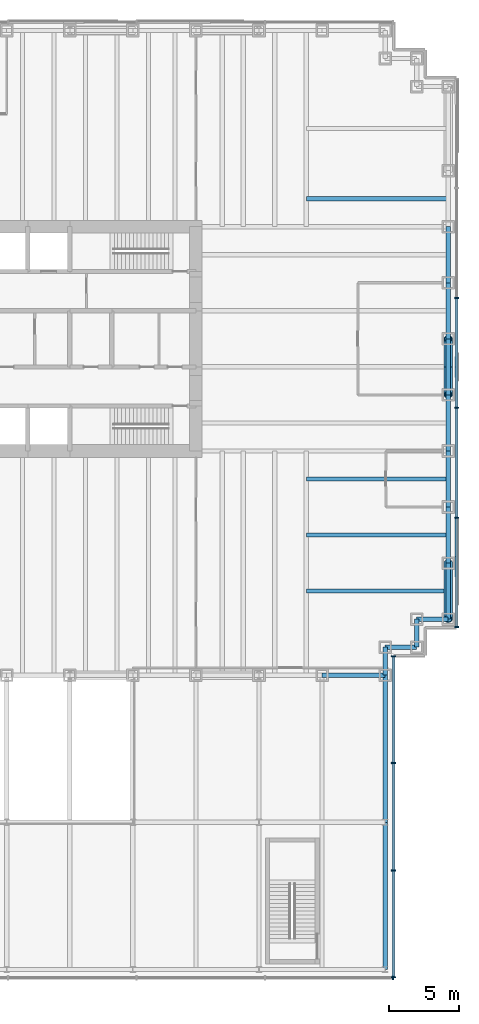
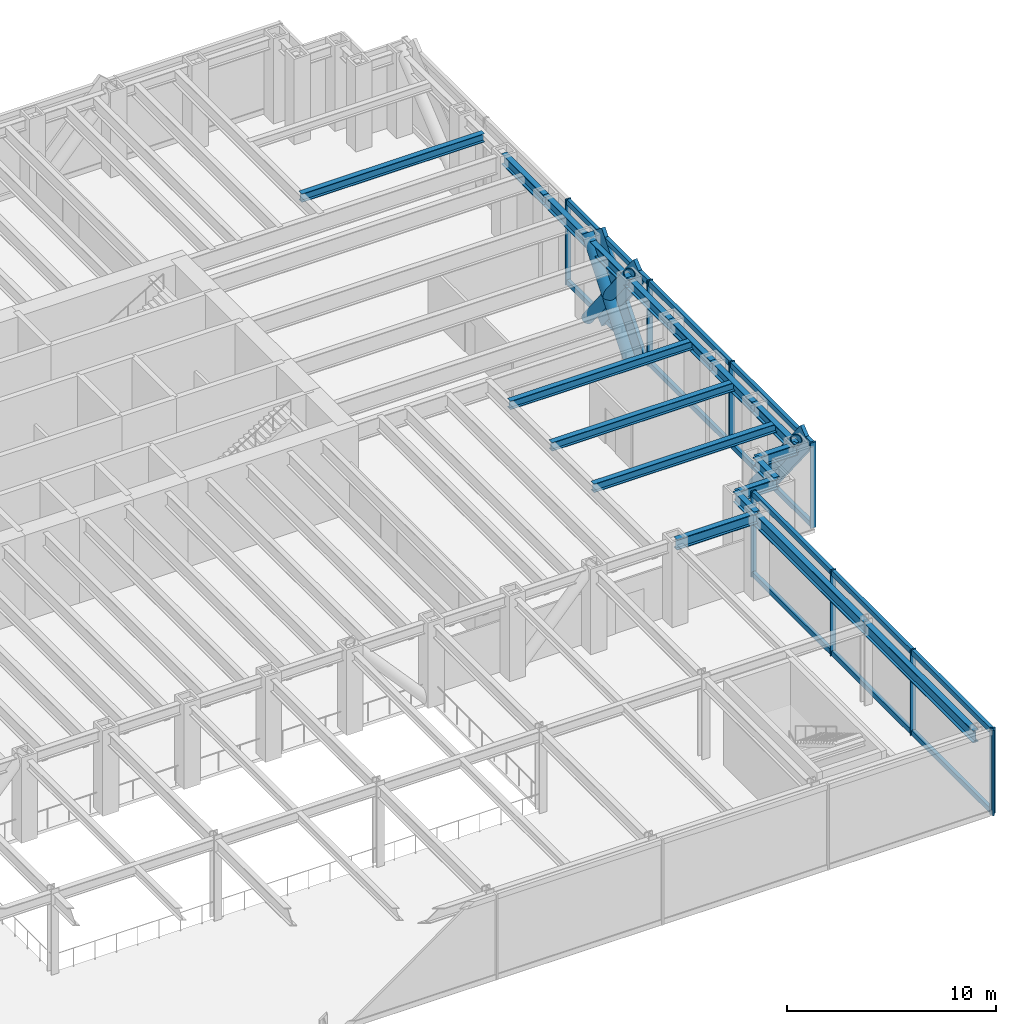
# One storey, part 7 of 17: 27 members, 18 beams, 3 elements without a shape of their own.
"""IFC4 building model written with IfcOpenShell, lengths in metres."""

from ifc_helpers import new_model, si_unit, direction, frame, origin, origin_2d, place, context, subcontext, project, spatial, rectangle, hollow_circle, i_section, extrude, material, material_profile, profile_set, type_object, element, aggregate, save


model = new_model("IFC4")

# Units and contexts
model_context = context("Model", 3, precision=1e-05, world=origin(), true_north=direction((0.0, 1.0)))
body_context = subcontext(model_context, "Body", "Model", "MODEL_VIEW")
ifc_project = project(units=[si_unit("LENGTHUNIT", "METRE"), si_unit("AREAUNIT", "SQUARE_METRE"), si_unit("VOLUMEUNIT", "CUBIC_METRE"), si_unit("PLANEANGLEUNIT", "RADIAN"), si_unit("MASSUNIT", "GRAM", prefix="KILO")], contexts=[model_context])

# Site, building, storey
site_placement = place(None, origin())
site = spatial("IfcSite", under=ifc_project, at=site_placement, CompositionType="ELEMENT")
building_placement = place(site_placement, origin())
building = spatial("IfcBuilding", under=site, at=building_placement, Name="Rheinbord Bourse Tower", CompositionType="ELEMENT")
storey_placement = place(building_placement, frame((0.0, 0.0, 18.0)))
storey = spatial("IfcBuildingStorey", under=building, at=storey_placement, Name="L03", CompositionType="ELEMENT", Elevation=18.0)

# Curtain wall, members
ifc_material_1 = material(Name="Dark glass and black aluminium", Category="aluminium")
curtain_wall_type = type_object("IfcCurtainWallType", Name="CW4 DARK GLASS CURTAIN WALL", PredefinedType="USERDEFINED", material=ifc_material_1)
curtain_wall_1_placement = place(storey_placement, origin())
curtain_wall_1 = element("IfcCurtainWall", 1, at=curtain_wall_1_placement, inside=storey, type_object=curtain_wall_type, Name="Curtain wall CW4 E L03", ObjectType="UNITISED CURTAIN WALL", PredefinedType="USERDEFINED")
ifc_material_2 = material(Name="Black anodised aluminium", Category="aluminium")
ifc_material_profile_1 = material_profile(ifc_material_2, rectangle(XDim=0.199951171875, YDim=1.2099609375, at=origin_2d()), Name="CW4 DIAGONAL MULLION 1210x200")
ifc_profile_set_1 = profile_set([ifc_material_profile_1], Name="Black anodised aluminium")
member_type_1 = type_object("IfcMemberType", Name="CW4 BLACK DIAGONAL MULLION", PredefinedType="USERDEFINED", material=ifc_profile_set_1)
member_1_placement = place(storey_placement, frame((72.60009765625, 20.0, 0.0), z_axis=(0.0, 0.624695047554, 0.780868809443), x_axis=(-1.0, 0.0, 0.0)))
member_1 = element("IfcMember", 2, at=member_1_placement, type_object=member_type_1, Name="CW4 diagonal mullion a", ObjectType="DIAGONAL MULLION", PredefinedType="USERDEFINED", context=body_context, shape_type="SweptSolid", body=[
    extrude(rectangle(XDim=0.199951171875, YDim=1.2099609375, at=origin_2d()), origin(), (0.0, 0.0, 1.0), 6.403076171875),
])
member_2_placement = place(storey_placement, frame((72.60009765625, 24.0, 0.0), z_axis=(0.0, -0.624695047554, 0.780868809443), x_axis=(1.0, 0.0, 0.0)))
member_2 = element("IfcMember", 3, at=member_2_placement, type_object=member_type_1, Name="CW4 diagonal mullion b", ObjectType="DIAGONAL MULLION", PredefinedType="USERDEFINED", context=body_context, shape_type="SweptSolid", body=[
    extrude(rectangle(XDim=0.199951171875, YDim=1.2099609375, at=origin_2d()), origin(), (0.0, 0.0, 1.0), 6.403076171875),
])
member_3_placement = place(storey_placement, frame((72.60009765625, 8.0, 0.0), z_axis=(0.0, -0.624695047554, 0.780868809443), x_axis=(1.0, 0.0, 0.0)))
member_3 = element("IfcMember", 4, at=member_3_placement, type_object=member_type_1, Name="CW4 diagonal mullion d", ObjectType="DIAGONAL MULLION", PredefinedType="USERDEFINED", context=body_context, shape_type="SweptSolid", body=[
    extrude(rectangle(XDim=0.199951171875, YDim=1.2099609375, at=origin_2d()), origin(), (0.0, 0.0, 1.0), 6.403076171875),
])

# Curtain wall, member
curtain_wall_2_placement = place(storey_placement, origin())
curtain_wall_2 = element("IfcCurtainWall", 5, at=curtain_wall_2_placement, inside=storey, type_object=curtain_wall_type, Name="Curtain wall CW4 S L03", ObjectType="UNITISED CURTAIN WALL", PredefinedType="USERDEFINED")
ifc_material_3 = material(Name="Black anodised aluminium", Category="aluminium")
ifc_material_profile_2 = material_profile(ifc_material_3, rectangle(XDim=0.300048828125, YDim=0.090087890625, at=origin_2d()), Name="CW4 MULLION 90x300")
ifc_profile_set_2 = profile_set([ifc_material_profile_2], Name="Black anodised aluminium")
member_type_2 = type_object("IfcMemberType", Name="CW4 BLACK MULLION", PredefinedType="MULLION", material=ifc_profile_set_2)
member_4_placement = place(storey_placement, frame((68.054931640625, -21.60009765625, 0.0), z_axis=(0.0, 0.0, 1.0), x_axis=(0.0, 1.0, 0.0)))
member_4 = element("IfcMember", 6, at=member_4_placement, type_object=member_type_2, Name="CW4 mullion 8", PredefinedType="MULLION", context=body_context, shape_type="SweptSolid", body=[
    extrude(rectangle(XDim=0.300048828125, YDim=0.090087890625, at=origin_2d()), origin(), (0.0, 0.0, 1.0), 5.0),
])
aggregate(curtain_wall_2, [member_4])

# Curtain wall, members
curtain_wall_3_placement = place(storey_placement, origin())
curtain_wall_3 = element("IfcCurtainWall", 7, at=curtain_wall_3_placement, inside=storey, type_object=curtain_wall_type, Name="Curtain wall CW4 E L03", ObjectType="UNITISED CURTAIN WALL", PredefinedType="USERDEFINED")
member_5_placement = place(storey_placement, frame((68.10009765625, -21.554931640625, 0.0), z_axis=(0.0, 0.0, 1.0), x_axis=(-1.0, 0.0, 0.0)))
member_5 = element("IfcMember", 8, at=member_5_placement, type_object=member_type_2, Name="CW4 mullion 1", PredefinedType="MULLION", context=body_context, shape_type="SweptSolid", body=[
    extrude(rectangle(XDim=0.300048828125, YDim=0.090087890625, at=origin_2d()), origin(), (0.0, 0.0, 1.0), 5.0),
])
member_6_placement = place(storey_placement, frame((68.10009765625, -13.933349609375, 0.0), z_axis=(0.0, 0.0, 1.0), x_axis=(-1.0, 0.0, 0.0)))
member_6 = element("IfcMember", 9, at=member_6_placement, type_object=member_type_2, Name="CW4 mullion 2", PredefinedType="MULLION", context=body_context, shape_type="SweptSolid", body=[
    extrude(rectangle(XDim=0.300048828125, YDim=0.090087890625, at=origin_2d()), origin(), (0.0, 0.0, 1.0), 5.0),
])
member_7_placement = place(storey_placement, frame((68.10009765625, -6.2666015625, 0.0), z_axis=(0.0, 0.0, 1.0), x_axis=(-1.0, 0.0, 0.0)))
member_7 = element("IfcMember", 10, at=member_7_placement, type_object=member_type_2, Name="CW4 mullion 3", PredefinedType="MULLION", context=body_context, shape_type="SweptSolid", body=[
    extrude(rectangle(XDim=0.300048828125, YDim=0.090087890625, at=origin_2d()), origin(), (0.0, 0.0, 1.0), 5.0),
])
member_8_placement = place(storey_placement, frame((68.10009765625, 1.35498046875, 0.0), z_axis=(0.0, 0.0, 1.0), x_axis=(-1.0, 0.0, 0.0)))
member_8 = element("IfcMember", 11, at=member_8_placement, type_object=member_type_2, Name="CW4 mullion 4", PredefinedType="MULLION", context=body_context, shape_type="SweptSolid", body=[
    extrude(rectangle(XDim=0.300048828125, YDim=0.090087890625, at=origin_2d()), origin(), (0.0, 0.0, 1.0), 5.0),
])

# Member
member_9_placement = place(storey_placement, frame((72.60009765625, 3.445068359375, 0.0), z_axis=(0.0, 0.0, 1.0), x_axis=(-1.0, 0.0, 0.0)))
member_9 = element("IfcMember", 12, at=member_9_placement, type_object=member_type_2, Name="CW4 mullion 1", PredefinedType="MULLION", context=body_context, shape_type="SweptSolid", body=[
    extrude(rectangle(XDim=0.300048828125, YDim=0.090087890625, at=origin_2d()), origin(), (0.0, 0.0, 1.0), 5.0),
])

member_10_placement = place(storey_placement, frame((72.60009765625, 11.239990234375, 0.0), z_axis=(0.0, 0.0, 1.0), x_axis=(-1.0, 0.0, 0.0)))
member_10 = element("IfcMember", 13, at=member_10_placement, type_object=member_type_2, Name="CW4 mullion 2", PredefinedType="MULLION", context=body_context, shape_type="SweptSolid", body=[
    extrude(rectangle(XDim=0.300048828125, YDim=0.090087890625, at=origin_2d()), origin(), (0.0, 0.0, 1.0), 5.0),
])

member_11_placement = place(storey_placement, frame((72.60009765625, 19.080078125, 0.0), z_axis=(0.0, 0.0, 1.0), x_axis=(-1.0, 0.0, 0.0)))
member_11 = element("IfcMember", 14, at=member_11_placement, type_object=member_type_2, Name="CW4 mullion 3", PredefinedType="MULLION", context=body_context, shape_type="SweptSolid", body=[
    extrude(rectangle(XDim=0.300048828125, YDim=0.090087890625, at=origin_2d()), origin(), (0.0, 0.0, 1.0), 5.0),
])

member_12_placement = place(storey_placement, frame((72.60009765625, 26.919921875, 0.0), z_axis=(0.0, 0.0, 1.0), x_axis=(-1.0, 0.0, 0.0)))
member_12 = element("IfcMember", 15, at=member_12_placement, type_object=member_type_2, Name="CW4 mullion 4", PredefinedType="MULLION", context=body_context, shape_type="SweptSolid", body=[
    extrude(rectangle(XDim=0.300048828125, YDim=0.090087890625, at=origin_2d()), origin(), (0.0, 0.0, 1.0), 5.0),
])

ifc_material_4 = material(Name="Black anodised aluminium", Category="aluminium")
ifc_material_profile_3 = material_profile(ifc_material_4, rectangle(XDim=0.199951171875, YDim=0.300048828125, at=origin_2d()), Name="CW4 TRANSOM 300x200")
ifc_profile_set_3 = profile_set([ifc_material_profile_3], Name="Black anodised aluminium")
member_type_3 = type_object("IfcMemberType", Name="CW4 BLACK TRANSOM", PredefinedType="USERDEFINED", material=ifc_profile_set_3)
member_13_placement = place(storey_placement, frame((68.10009765625, -21.510009765625, 0.14990234375), z_axis=(0.0, 1.0, 0.0), x_axis=(-1.0, 0.0, 0.0)))
member_13 = element("IfcMember", 16, at=member_13_placement, type_object=member_type_3, Name="CW4 transom 1.1", ObjectType="TRANSOM", PredefinedType="USERDEFINED", context=body_context, shape_type="SweptSolid", body=[
    extrude(rectangle(XDim=0.199951171875, YDim=0.300048828125, at=origin_2d()), origin(), (0.0, 0.0, 1.0), 7.53173828125),
])

member_14_placement = place(storey_placement, frame((68.10009765625, -21.510009765625, 4.85009765625), z_axis=(0.0, 1.0, 0.0), x_axis=(-1.0, 0.0, 0.0)))
member_14 = element("IfcMember", 17, at=member_14_placement, type_object=member_type_3, Name="CW4 transom 1.2", ObjectType="TRANSOM", PredefinedType="USERDEFINED", context=body_context, shape_type="SweptSolid", body=[
    extrude(rectangle(XDim=0.199951171875, YDim=0.300048828125, at=origin_2d()), origin(), (0.0, 0.0, 1.0), 7.53173828125),
])

member_15_placement = place(storey_placement, frame((68.10009765625, -13.888427734375, 0.14990234375), z_axis=(0.0, 1.0, 0.0), x_axis=(-1.0, 0.0, 0.0)))
member_15 = element("IfcMember", 18, at=member_15_placement, type_object=member_type_3, Name="CW4 transom 2.1", ObjectType="TRANSOM", PredefinedType="USERDEFINED", context=body_context, shape_type="SweptSolid", body=[
    extrude(rectangle(XDim=0.199951171875, YDim=0.300048828125, at=origin_2d()), origin(), (0.0, 0.0, 1.0), 7.57666015625),
])

member_16_placement = place(storey_placement, frame((68.10009765625, -13.888427734375, 4.85009765625), z_axis=(0.0, 1.0, 0.0), x_axis=(-1.0, 0.0, 0.0)))
member_16 = element("IfcMember", 19, at=member_16_placement, type_object=member_type_3, Name="CW4 transom 2.2", ObjectType="TRANSOM", PredefinedType="USERDEFINED", context=body_context, shape_type="SweptSolid", body=[
    extrude(rectangle(XDim=0.199951171875, YDim=0.300048828125, at=origin_2d()), origin(), (0.0, 0.0, 1.0), 7.57666015625),
])

member_17_placement = place(storey_placement, frame((68.10009765625, -6.2216796875, 0.14990234375), z_axis=(0.0, 1.0, 0.0), x_axis=(-1.0, 0.0, 0.0)))
member_17 = element("IfcMember", 20, at=member_17_placement, type_object=member_type_3, Name="CW4 transom 3.1", ObjectType="TRANSOM", PredefinedType="USERDEFINED", context=body_context, shape_type="SweptSolid", body=[
    extrude(rectangle(XDim=0.199951171875, YDim=0.300048828125, at=origin_2d()), origin(), (0.0, 0.0, 1.0), 7.53173828125),
])

member_18_placement = place(storey_placement, frame((68.10009765625, -6.2216796875, 4.85009765625), z_axis=(0.0, 1.0, 0.0), x_axis=(-1.0, 0.0, 0.0)))
member_18 = element("IfcMember", 21, at=member_18_placement, type_object=member_type_3, Name="CW4 transom 3.2", ObjectType="TRANSOM", PredefinedType="USERDEFINED", context=body_context, shape_type="SweptSolid", body=[
    extrude(rectangle(XDim=0.199951171875, YDim=0.300048828125, at=origin_2d()), origin(), (0.0, 0.0, 1.0), 7.53173828125),
])

aggregate(curtain_wall_3, [member_5, member_6, member_7, member_8, member_13, member_14, member_15, member_16, member_17, member_18])

member_19_placement = place(storey_placement, frame((72.60009765625, 3.489990234375, 0.14990234375), z_axis=(0.0, 1.0, 0.0), x_axis=(-1.0, 0.0, 0.0)))
member_19 = element("IfcMember", 22, at=member_19_placement, type_object=member_type_3, Name="CW4 transom 1.1", ObjectType="TRANSOM", PredefinedType="USERDEFINED", context=body_context, shape_type="SweptSolid", body=[
    extrude(rectangle(XDim=0.199951171875, YDim=0.300048828125, at=origin_2d()), origin(), (0.0, 0.0, 1.0), 7.705078125),
])

member_20_placement = place(storey_placement, frame((72.60009765625, 3.489990234375, 4.85009765625), z_axis=(0.0, 1.0, 0.0), x_axis=(-1.0, 0.0, 0.0)))
member_20 = element("IfcMember", 23, at=member_20_placement, type_object=member_type_3, Name="CW4 transom 1.2", ObjectType="TRANSOM", PredefinedType="USERDEFINED", context=body_context, shape_type="SweptSolid", body=[
    extrude(rectangle(XDim=0.199951171875, YDim=0.300048828125, at=origin_2d()), origin(), (0.0, 0.0, 1.0), 7.705078125),
])

member_21_placement = place(storey_placement, frame((72.60009765625, 11.284912109375, 0.14990234375), z_axis=(0.0, 1.0, 0.0), x_axis=(-1.0, 0.0, 0.0)))
member_21 = element("IfcMember", 24, at=member_21_placement, type_object=member_type_3, Name="CW4 transom 2.1", ObjectType="TRANSOM", PredefinedType="USERDEFINED", context=body_context, shape_type="SweptSolid", body=[
    extrude(rectangle(XDim=0.199951171875, YDim=0.300048828125, at=origin_2d()), origin(), (0.0, 0.0, 1.0), 7.75),
])

member_22_placement = place(storey_placement, frame((72.60009765625, 11.284912109375, 4.85009765625), z_axis=(0.0, 1.0, 0.0), x_axis=(-1.0, 0.0, 0.0)))
member_22 = element("IfcMember", 25, at=member_22_placement, type_object=member_type_3, Name="CW4 transom 2.2", ObjectType="TRANSOM", PredefinedType="USERDEFINED", context=body_context, shape_type="SweptSolid", body=[
    extrude(rectangle(XDim=0.199951171875, YDim=0.300048828125, at=origin_2d()), origin(), (0.0, 0.0, 1.0), 7.75),
])

member_23_placement = place(storey_placement, frame((72.60009765625, 19.125, 0.14990234375), z_axis=(0.0, 1.0, 0.0), x_axis=(-1.0, 0.0, 0.0)))
member_23 = element("IfcMember", 26, at=member_23_placement, type_object=member_type_3, Name="CW4 transom 3.1", ObjectType="TRANSOM", PredefinedType="USERDEFINED", context=body_context, shape_type="SweptSolid", body=[
    extrude(rectangle(XDim=0.199951171875, YDim=0.300048828125, at=origin_2d()), origin(), (0.0, 0.0, 1.0), 7.75),
])

member_24_placement = place(storey_placement, frame((72.60009765625, 19.125, 4.85009765625), z_axis=(0.0, 1.0, 0.0), x_axis=(-1.0, 0.0, 0.0)))
member_24 = element("IfcMember", 27, at=member_24_placement, type_object=member_type_3, Name="CW4 transom 3.2", ObjectType="TRANSOM", PredefinedType="USERDEFINED", context=body_context, shape_type="SweptSolid", body=[
    extrude(rectangle(XDim=0.199951171875, YDim=0.300048828125, at=origin_2d()), origin(), (0.0, 0.0, 1.0), 7.75),
])

aggregate(curtain_wall_1, [member_9, member_10, member_11, member_12, member_19, member_20, member_21, member_22, member_23, member_24, member_1, member_2, member_3])

# Members
ifc_material_5 = material(Name="Steel S460", Category="steel")
ifc_material_profile_4 = material_profile(ifc_material_5, hollow_circle(Radius=0.304931640625, WallThickness=0.050048828125, at=origin_2d()), Name="CHS 610x50")
ifc_profile_set_4 = profile_set([ifc_material_profile_4], Name="Steel S460")
member_type_4 = type_object("IfcMemberType", Name="MEGABRACE CHS 610x50", PredefinedType="BRACE", material=ifc_profile_set_4)
for number, where, z_axis, x_axis, name in (
    (28, (72.0, 20.0, 0.0), (0.0, 0.624695047554, 0.780868809443), (-1.0, 0.0, 0.0), "Megabrace E face line a L03"),
    (29, (72.0, 24.0, 0.0), (0.0, -0.624695047554, 0.780868809443), (1.0, 0.0, 0.0), "Megabrace E face line b L03"),
    (30, (72.0, 8.0, 0.0), (0.0, -0.624695047554, 0.780868809443), (1.0, 0.0, 0.0), "Megabrace E face line d L03"),
):
    element("IfcMember", number, at=place(storey_placement, frame(where, z_axis=z_axis, x_axis=x_axis)), inside=storey, type_object=member_type_4, Name=name, PredefinedType="BRACE", context=body_context, shape_type="SweptSolid", body=[
        extrude(hollow_circle(Radius=0.304931640625, WallThickness=0.050048828125, at=origin_2d()), origin(), (0.0, 0.0, 1.0), 6.403076171875),
    ])

# Beams
ifc_material_6 = material(Name="Steel S460", Category="steel")
ifc_material_profile_5 = material_profile(ifc_material_6, i_section(OverallWidth=0.303955078125, OverallDepth=0.716064453125, WebThickness=0.02099609375, FlangeThickness=0.0400390625, at=origin_2d()), Name="HEM 700")
ifc_profile_set_5 = profile_set([ifc_material_profile_5], Name="Steel S460")
beam_type_1 = type_object("IfcBeamType", Name="PODIUM GIRDER HEM 700", PredefinedType="BEAM", material=ifc_profile_set_5)
for number, where, z_axis, x_axis, name in (
    (31, (67.5, -21.0, 4.39208984375), (0.0, 1.0, 0.0), (-1.0, 0.0, 0.0), "Podium girder 67.5 L04"),
    (32, (67.5, -10.5, 4.39208984375), (0.0, 1.0, 0.0), (-1.0, 0.0, 0.0), "Podium girder 67.5 L04"),
):
    element("IfcBeam", number, at=place(storey_placement, frame(where, z_axis=z_axis, x_axis=x_axis)), inside=storey, type_object=beam_type_1, Name=name, PredefinedType="BEAM", context=body_context, shape_type="SweptSolid", body=[
        extrude(i_section(OverallWidth=0.303955078125, OverallDepth=0.716064453125, WebThickness=0.02099609375, FlangeThickness=0.0400390625, at=origin_2d()), origin(), (0.0, 0.0, 1.0), 10.5),
    ])
ifc_material_7 = material(Name="Steel S460", Category="steel")
ifc_material_profile_6 = material_profile(ifc_material_7, i_section(OverallWidth=0.304931640625, OverallDepth=0.6201171875, WebThickness=0.02099609375, FlangeThickness=0.0400390625, at=origin_2d()), Name="HEM 600")
ifc_profile_set_6 = profile_set([ifc_material_profile_6], Name="Steel S460")
beam_type_2 = type_object("IfcBeamType", Name="SPANDREL HEM 600", PredefinedType="SPANDREL", material=ifc_profile_set_6)
beam_1_placement = place(storey_placement, frame((63.0, 0.0, 4.510009765625), z_axis=(1.0, 0.0, 0.0), x_axis=(0.0, 1.0, 0.0)))
element("IfcBeam", 33, at=beam_1_placement, inside=storey, type_object=beam_type_2, Name="Spandrel S-63-SE-E under L04", PredefinedType="SPANDREL", context=body_context, shape_type="SweptSolid", body=[
    extrude(i_section(OverallWidth=0.304931640625, OverallDepth=0.6201171875, WebThickness=0.02099609375, FlangeThickness=0.0400390625, at=origin_2d()), origin(), (0.0, 0.0, 1.0), 4.5),
])
beam_2_placement = place(storey_placement, frame((67.5, 0.0, 4.510009765625), z_axis=(0.0, 1.0, 0.0), x_axis=(-1.0, 0.0, 0.0)))
element("IfcBeam", 34, at=beam_2_placement, inside=storey, type_object=beam_type_2, Name="Spandrel SE-E-SE-D under L04", PredefinedType="SPANDREL", context=body_context, shape_type="SweptSolid", body=[
    extrude(i_section(OverallWidth=0.304931640625, OverallDepth=0.6201171875, WebThickness=0.02099609375, FlangeThickness=0.0400390625, at=origin_2d()), origin(), (0.0, 0.0, 1.0), 2.0),
])
beam_3_placement = place(storey_placement, frame((67.5, 2.0, 4.510009765625), z_axis=(1.0, 0.0, 0.0), x_axis=(0.0, 1.0, 0.0)))
element("IfcBeam", 35, at=beam_3_placement, inside=storey, type_object=beam_type_2, Name="Spandrel SE-D-SE-C under L04", PredefinedType="SPANDREL", context=body_context, shape_type="SweptSolid", body=[
    extrude(i_section(OverallWidth=0.304931640625, OverallDepth=0.6201171875, WebThickness=0.02099609375, FlangeThickness=0.0400390625, at=origin_2d()), origin(), (0.0, 0.0, 1.0), 2.25),
])
beam_4_placement = place(storey_placement, frame((69.75, 2.0, 4.510009765625), z_axis=(0.0, 1.0, 0.0), x_axis=(-1.0, 0.0, 0.0)))
element("IfcBeam", 36, at=beam_4_placement, inside=storey, type_object=beam_type_2, Name="Spandrel SE-C-SE-B under L04", PredefinedType="SPANDREL", context=body_context, shape_type="SweptSolid", body=[
    extrude(i_section(OverallWidth=0.304931640625, OverallDepth=0.6201171875, WebThickness=0.02099609375, FlangeThickness=0.0400390625, at=origin_2d()), origin(), (0.0, 0.0, 1.0), 2.0),
])
beam_5_placement = place(storey_placement, frame((69.75, 4.0, 4.510009765625), z_axis=(1.0, 0.0, 0.0), x_axis=(0.0, 1.0, 0.0)))
element("IfcBeam", 37, at=beam_5_placement, inside=storey, type_object=beam_type_2, Name="Spandrel SE-B-SE-A under L04", PredefinedType="SPANDREL", context=body_context, shape_type="SweptSolid", body=[
    extrude(i_section(OverallWidth=0.304931640625, OverallDepth=0.6201171875, WebThickness=0.02099609375, FlangeThickness=0.0400390625, at=origin_2d()), origin(), (0.0, 0.0, 1.0), 2.25),
])
for number, where, z_axis, x_axis, name in (
    (38, (72.0, 4.0, 4.510009765625), (0.0, 1.0, 0.0), (-1.0, 0.0, 0.0), "Spandrel SE-A-E-8 under L04"),
    (39, (72.0, 8.0, 4.510009765625), (0.0, 1.0, 0.0), (-1.0, 0.0, 0.0), "Spandrel E-8-E-12 under L04"),
    (40, (72.0, 12.0, 4.510009765625), (0.0, 1.0, 0.0), (-1.0, 0.0, 0.0), "Spandrel E-12-E-16 under L04"),
    (41, (72.0, 16.0, 4.510009765625), (0.0, 1.0, 0.0), (-1.0, 0.0, 0.0), "Spandrel E-16-E-20 under L04"),
    (42, (72.0, 20.0, 4.510009765625), (0.0, 1.0, 0.0), (-1.0, 0.0, 0.0), "Spandrel E-20-E-24 under L04"),
    (43, (72.0, 24.0, 4.510009765625), (0.0, 1.0, 0.0), (-1.0, 0.0, 0.0), "Spandrel E-24-E-28 under L04"),
    (44, (72.0, 28.0, 4.510009765625), (0.0, 1.0, 0.0), (-1.0, 0.0, 0.0), "Spandrel E-28-E-32 under L04"),
):
    element("IfcBeam", number, at=place(storey_placement, frame(where, z_axis=z_axis, x_axis=x_axis)), inside=storey, type_object=beam_type_2, Name=name, PredefinedType="SPANDREL", context=body_context, shape_type="SweptSolid", body=[
        extrude(i_section(OverallWidth=0.304931640625, OverallDepth=0.6201171875, WebThickness=0.02099609375, FlangeThickness=0.0400390625, at=origin_2d()), origin(), (0.0, 0.0, 1.0), 4.0),
    ])
ifc_material_8 = material(Name="Steel S460", Category="steel")
ifc_material_profile_7 = material_profile(ifc_material_8, i_section(OverallWidth=0.300048828125, OverallDepth=0.5, WebThickness=0.014404296875, FlangeThickness=0.028076171875, at=origin_2d()), Name="HEB 500")
ifc_profile_set_7 = profile_set([ifc_material_profile_7], Name="Steel S460")
beam_type_3 = type_object("IfcBeamType", Name="TIE BEAM HEB 500", PredefinedType="JOIST", material=ifc_profile_set_7)
for number, where, z_axis, x_axis, name in (
    (45, (61.875, 6.0, 4.570068359375), (1.0, 0.0, 0.0), (0.0, 1.0, 0.0), "Tie east 6 L04"),
    (46, (61.875, 10.0, 4.570068359375), (1.0, 0.0, 0.0), (0.0, 1.0, 0.0), "Tie east 10 L04"),
    (47, (61.875, 14.0, 4.570068359375), (1.0, 0.0, 0.0), (0.0, 1.0, 0.0), "Tie east 14 L04"),
    (48, (61.875, 34.0, 4.570068359375), (1.0, 0.0, 0.0), (0.0, 1.0, 0.0), "Tie east 34 L04"),
):
    element("IfcBeam", number, at=place(storey_placement, frame(where, z_axis=z_axis, x_axis=x_axis)), inside=storey, type_object=beam_type_3, Name=name, PredefinedType="JOIST", context=body_context, shape_type="SweptSolid", body=[
        extrude(i_section(OverallWidth=0.300048828125, OverallDepth=0.5, WebThickness=0.014404296875, FlangeThickness=0.028076171875, at=origin_2d()), origin(), (0.0, 0.0, 1.0), 10.125),
    ])

save(model, "model.ifc")
